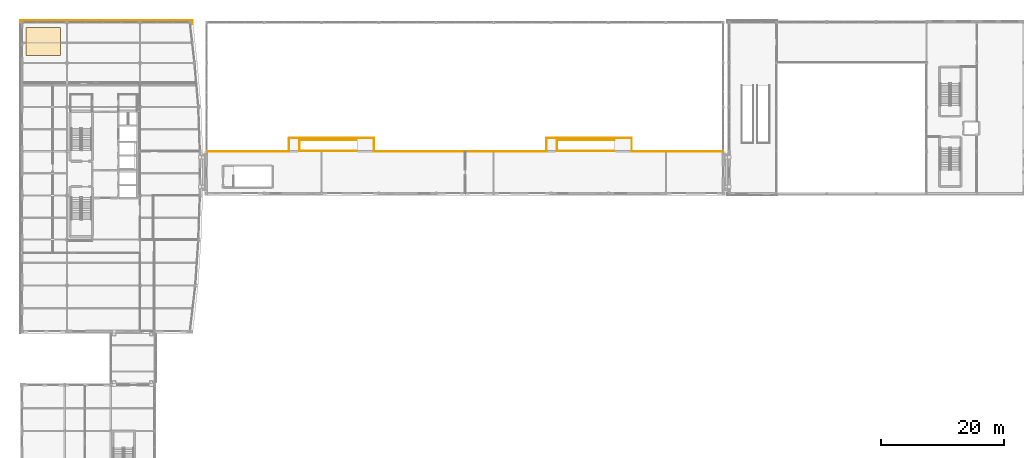
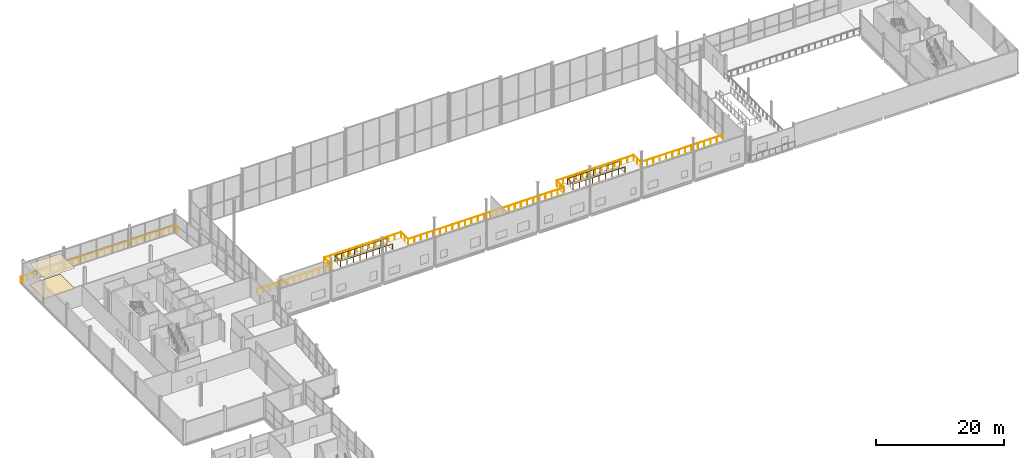
# One storey, part 75 of 77: 5 railings, 2 coverings.
"""IFC4 building model written with IfcOpenShell, lengths in metres."""

import ifcopenshell
import ifcopenshell.guid

model = None  # the IFC model being written
_history = None  # IfcOwnerHistory: only IFC2X3 demands one
_inside = {}  # id of a spatial element -> (the spatial element, [elements in it])
_under = {}  # id of a project, library or spatial element -> (it, [spatial elements below it])
_declared = {}  # id of a project -> (the project, [libraries it declares])
_typed = {}  # id of a type object -> (the type object, [elements of that type])
_made_of = {}  # id of a material, layer set ... -> (it, [elements and type objects made of it])


def new_model(schema):
    """Start an empty IFC model of exactly this schema.

    Asked for "IFC4X3", IfcOpenShell would pick the latest addendum, in which some entities
    have other attributes; the version numbers below select the first issue.
    IFC2X3 requires an IfcOwnerHistory on every rooted entity: one is made here for all.
    """
    global model, _history
    if schema == "IFC4X3":
        model = ifcopenshell.file(schema_version=(4, 3, 0, 0))
    else:
        model = ifcopenshell.file(schema=schema)
    _inside.clear()
    _under.clear()
    _declared.clear()
    _typed.clear()
    _made_of.clear()
    _history = None
    if model.schema == "IFC2X3":
        org = make("IfcOrganization", Name="unknown")
        user = make(
            "IfcPersonAndOrganization",
            ThePerson=make("IfcPerson", FamilyName="unknown"),
            TheOrganization=org,
        )
        app = make(
            "IfcApplication",
            ApplicationDeveloper=org,
            Version="unknown",
            ApplicationFullName="unknown",
            ApplicationIdentifier="unknown",
        )
        _history = make(
            "IfcOwnerHistory",
            OwningUser=user,
            OwningApplication=app,
            ChangeAction="ADDED",
            CreationDate=0,
        )
    return model


def make(cls, **values):
    """One entity of the class cls with the attributes given. An attribute that is None is left unset."""
    return model.create_entity(
        cls, **{name: value for name, value in values.items() if value is not None}
    )


def rooted(cls, **values):
    """An entity with a GlobalId (a new one), such as an element, a storey or a relation."""
    return make(cls, GlobalId=ifcopenshell.guid.new(), OwnerHistory=_history, **values)


def si_unit(unit_type, name, prefix=None):
    """IfcSIUnit, for example si_unit("LENGTHUNIT", "METRE", prefix="MILLI")."""
    return make("IfcSIUnit", UnitType=unit_type, Prefix=prefix, Name=name)


def assignment(units):
    """IfcUnitAssignment: the units of a project."""
    return None if units is None else make("IfcUnitAssignment", Units=units)


def point(xyz):
    """IfcCartesianPoint."""
    return None if xyz is None else make("IfcCartesianPoint", Coordinates=xyz)


def direction(xyz):
    """IfcDirection."""
    return None if xyz is None else make("IfcDirection", DirectionRatios=xyz)


def frame(location, z_axis=None, x_axis=None):
    """IfcAxis2Placement3D, a coordinate frame: its origin and axes. An axis left out is left unset."""
    return make(
        "IfcAxis2Placement3D",
        Location=point(location),
        Axis=direction(z_axis),
        RefDirection=direction(x_axis),
    )


def frame_2d(location, x_axis=None):
    """IfcAxis2Placement2D, a coordinate frame in the plane: its origin and x axis."""
    return make(
        "IfcAxis2Placement2D", Location=point(location), RefDirection=direction(x_axis)
    )


def origin():
    """The frame at (0, 0, 0) with its axes left unset."""
    return frame((0.0, 0.0, 0.0))


def origin_2d():
    """The frame at (0, 0) in the plane with its x axis left unset."""
    return frame_2d((0.0, 0.0))


def place(relative_to, where):
    """IfcLocalPlacement: puts the frame where relative to a parent placement (None: the world)."""
    return make(
        "IfcLocalPlacement", PlacementRelTo=relative_to, RelativePlacement=where
    )


def context(
    kind, dimensions, precision=None, world=None, true_north=None, identifier=None
):
    """IfcGeometricRepresentationContext, for example the 3D "Model" context."""
    return make(
        "IfcGeometricRepresentationContext",
        ContextIdentifier=identifier,
        ContextType=kind,
        CoordinateSpaceDimension=dimensions,
        Precision=precision,
        WorldCoordinateSystem=world,
        TrueNorth=true_north,
    )


def subcontext(parent, identifier, kind, view, scale=None):
    """IfcGeometricRepresentationSubContext, for example "Body" below "Model"."""
    return make(
        "IfcGeometricRepresentationSubContext",
        ContextIdentifier=identifier,
        ContextType=kind,
        ParentContext=parent,
        TargetScale=scale,
        TargetView=view,
    )


def project(units=None, contexts=None):
    """IfcProject with its units and contexts."""
    return rooted(
        "IfcProject",
        Name="project",
        RepresentationContexts=contexts,
        UnitsInContext=assignment(units),
    )


def spatial(cls, under=None, at=None, **own):
    """A site, building, storey or space (cls), placed at a placement, below another one or the project."""
    s = rooted(cls, ObjectPlacement=at, **own)
    if under is not None:
        _under.setdefault(under.id(), (under, []))[1].append(s)
    return s


def polyline(points):
    """IfcPolyline through the points."""
    return make("IfcPolyline", Points=[point(p) for p in points])


def profile(cls, at=None, kind="AREA", **sizes):
    """A parametric profile (cls). Its sizes go by their IFC names, for example OverallWidth=200.0."""
    return make(cls, ProfileType=kind, Position=at, **sizes)


def circle(**sizes):
    """IfcCircleProfileDef."""
    return profile("IfcCircleProfileDef", **sizes)


def outline(outer, holes=None, kind="AREA"):
    """IfcArbitraryClosedProfileDef: a profile drawn as a closed curve; with holes, ...WithVoids."""
    if holes is None:
        return make("IfcArbitraryClosedProfileDef", ProfileType=kind, OuterCurve=outer)
    return make(
        "IfcArbitraryProfileDefWithVoids",
        ProfileType=kind,
        OuterCurve=outer,
        InnerCurves=holes,
    )


def extrude(swept, where, along, depth):
    """IfcExtrudedAreaSolid: the profile swept, set in the frame where, extruded along a direction by depth."""
    return make(
        "IfcExtrudedAreaSolid",
        SweptArea=swept,
        Position=where,
        ExtrudedDirection=direction(along),
        Depth=depth,
    )


def shape(context_of_items, identifier, shape_type, items):
    """IfcShapeRepresentation: the items that make up one representation, for example the "Body"."""
    return make(
        "IfcShapeRepresentation",
        ContextOfItems=context_of_items,
        RepresentationIdentifier=identifier,
        RepresentationType=shape_type,
        Items=items,
    )


def material(Name=None, Category=None):
    """IfcMaterial."""
    return make("IfcMaterial", Name=Name, Category=Category)


def layer(
    of_material, thickness, ventilated=None, Name=None, Category=None, Priority=None
):
    """IfcMaterialLayer: one layer of a wall or slab, of a material (None: an air gap)."""
    return make(
        "IfcMaterialLayer",
        Material=of_material,
        LayerThickness=thickness,
        IsVentilated=ventilated,
        Name=Name,
        Category=Category,
        Priority=Priority,
    )


def layer_set(layers, Name=None):
    """IfcMaterialLayerSet."""
    return make("IfcMaterialLayerSet", MaterialLayers=layers, LayerSetName=Name)


def made_of(thing, what):
    """Note that an element or type object is made of a material, layer set ...; save() writes the relation."""
    if what is not None:
        _made_of.setdefault(what.id(), (what, []))[1].append(thing)
    return thing


def type_object(cls, material=None, **own):
    """A type object (cls), such as IfcWallType, which elements share."""
    return made_of(rooted(cls, **own), material)


def element(
    cls,
    number,
    at=None,
    inside=None,
    cuts=None,
    type_object=None,
    material=None,
    context=None,
    identifier="Body",
    shape_type=None,
    held_by="IfcProductDefinitionShape",
    body=None,
    shapes=None,
    **own,
):
    """One element of the class cls, such as IfcWall. Its Tag is "e" and its number.

    at: its placement. inside: the storey or other place that contains it. cuts: it is an
    opening in that element (IfcRelVoidsElement). A single representation is given by context,
    identifier, shape_type and body (its items); several are given by shapes. held_by: the class
    of the entity that holds the representations. save() writes the other relations.
    """
    e = rooted(cls, Tag="e%d" % number, ObjectPlacement=at, **own)
    if body is not None:
        shapes = [shape(context, identifier, shape_type, body)]
    if shapes is not None:
        e.Representation = make(held_by, Representations=shapes)
    if inside is not None:
        _inside.setdefault(inside.id(), (inside, []))[1].append(e)
    if cuts is not None:
        rooted(
            "IfcRelVoidsElement", RelatingBuildingElement=cuts, RelatedOpeningElement=e
        )
    if type_object is not None:
        _typed.setdefault(type_object.id(), (type_object, []))[1].append(e)
    return made_of(e, material)


def aggregate(whole, parts):
    """IfcRelAggregates: a whole, such as a stair, and the parts it consists of."""
    return rooted("IfcRelAggregates", RelatingObject=whole, RelatedObjects=parts)


def save(model, path):
    """Write the relations noted so far, then the file.

    IfcRelAggregates (storeys below a building ...), IfcRelContainedInSpatialStructure (elements
    in a storey), IfcRelDefinesByType, IfcRelAssociatesMaterial and IfcRelDeclares: one each for
    every whole, place, type object, material and project.
    """
    for whole, parts in _under.values():
        aggregate(whole, parts)
    for where, things in _inside.values():
        rooted(
            "IfcRelContainedInSpatialStructure",
            RelatedElements=things,
            RelatingStructure=where,
        )
    for kind, things in _typed.values():
        rooted("IfcRelDefinesByType", RelatedObjects=things, RelatingType=kind)
    for what, things in _made_of.values():
        rooted("IfcRelAssociatesMaterial", RelatedObjects=things, RelatingMaterial=what)
    for by, libraries in _declared.values():
        rooted("IfcRelDeclares", RelatingContext=by, RelatedDefinitions=libraries)
    model.write(path)


model = new_model("IFC4")

# Units and contexts
model_context = context("Model", 3, precision=1e-05, world=origin(), true_north=direction((0.0, 1.0)))
body_context = subcontext(model_context, "Body", "Model", "MODEL_VIEW")
ifc_project = project(units=[si_unit("LENGTHUNIT", "METRE"), si_unit("AREAUNIT", "SQUARE_METRE"), si_unit("VOLUMEUNIT", "CUBIC_METRE"), si_unit("PLANEANGLEUNIT", "RADIAN"), si_unit("MASSUNIT", "GRAM", prefix="KILO")], contexts=[model_context])

# Site, building, storey
site_placement = place(None, origin())
site = spatial("IfcSite", under=ifc_project, at=site_placement, CompositionType="ELEMENT")
building_placement = place(site_placement, origin())
building = spatial("IfcBuilding", under=site, at=building_placement, Name="Quillay Park Conservatory", CompositionType="ELEMENT")
storey_placement = place(building_placement, frame((0.0, 0.0, 5.39990234375)))
storey = spatial("IfcBuildingStorey", under=building, at=storey_placement, Name="L01", CompositionType="ELEMENT", Elevation=5.39990234375)

# Coverings
ifc_material_1 = material(Name="Polished Andean Aggregate Terrazzo Flooring")
ifc_layer_1 = layer(ifc_material_1, 0.02197265625)
ifc_layer_set_1 = layer_set([ifc_layer_1], Name="ANDEAN TERRAZZO FLOORING 22 (Polished Andean Aggregate Terrazzo Flooring)")
covering_type_1 = type_object("IfcCoveringType", Name="ANDEAN TERRAZZO FLOORING 22", PredefinedType="FLOORING", material=ifc_layer_set_1)
covering_1_placement = place(storey_placement, origin())
element("IfcCovering", 1, at=covering_1_placement, inside=storey, type_object=covering_type_1, Name="L01 Interior Flooring Finish", PredefinedType="FLOORING", context=body_context, shape_type="SweptSolid", body=[
    extrude(outline(polyline([(1.199951171875, 108.0), (6.800048828125, 108.0), (6.800048828125, 112.60009765625), (1.199951171875, 112.60009765625), (1.199951171875, 108.0)])), origin(), (0.0, 0.0, 1.0), 0.022216796875),
])
ifc_material_2 = material(Name="Perforated Mineral-Fibre Acoustic Ceiling")
ifc_layer_2 = layer(ifc_material_2, 0.030029296875)
ifc_layer_set_2 = layer_set([ifc_layer_2], Name="LABORATORY HYGIENIC CEILING 30 (Perforated Mineral-Fibre Acoustic Ceiling)")
covering_type_2 = type_object("IfcCoveringType", Name="LABORATORY HYGIENIC CEILING 30", PredefinedType="CEILING", material=ifc_layer_set_2)
covering_2_placement = place(storey_placement, frame((0.0, 0.0, 3.927001953125)))
element("IfcCovering", 2, at=covering_2_placement, inside=storey, type_object=covering_type_2, Name="L01 Suspended Acoustic Ceiling", PredefinedType="CEILING", context=body_context, shape_type="SweptSolid", body=[
    extrude(outline(polyline([(1.199951171875, 108.0), (6.800048828125, 108.0), (6.800048828125, 112.60009765625), (1.199951171875, 112.60009765625), (1.199951171875, 108.0)])), origin(), (0.0, 0.0, 1.0), 0.030029296875),
])

# Railings
ifc_material_3 = material(Name="Steel S355J2H", Category="steel")
railing_type = type_object("IfcRailingType", Name="TERRACE PERIMETER GUARDRAIL 1100", PredefinedType="GUARDRAIL", material=ifc_material_3)
railing_1_placement = place(storey_placement, frame((30.64990234375, 92.340087890625, 0.0)))
element("IfcRailing", 3, at=railing_1_placement, inside=storey, type_object=railing_type, Name="L01 Perimeter Safety Guardrail 006", PredefinedType="GUARDRAIL", context=body_context, shape_type="SweptSolid", body=[
    extrude(circle(Radius=0.02392578125, at=origin_2d()), frame((0.0, 0.0, 1.076171875), z_axis=(1.0, 0.0, 0.0), x_axis=(0.0, 1.0, 0.0)), (0.0, 0.0, 1.0), 13.41015625),
    extrude(circle(Radius=0.02392578125, at=origin_2d()), frame((13.41015625, 0.0, 1.076171875), z_axis=(0.0, 1.0, 0.0), x_axis=(-1.0, 0.0, 0.0)), (0.0, 0.0, 1.0), 2.199951171875),
    extrude(circle(Radius=0.02392578125, at=origin_2d()), frame((13.41015625, 2.199951171875, 1.076171875), z_axis=(1.0, 0.0, 0.0), x_axis=(0.0, 1.0, 0.0)), (0.0, 0.0, 1.0), 13.8798828125),
    extrude(circle(Radius=0.02392578125, at=origin_2d()), frame((27.2900390625, 2.199951171875, 1.076171875), z_axis=(0.0, -1.0, 0.0), x_axis=(1.0, 0.0, 0.0)), (0.0, 0.0, 1.0), 2.199951171875),
    extrude(circle(Radius=0.02392578125, at=origin_2d()), frame((27.2900390625, 0.0, 1.076171875), z_axis=(1.0, 0.0, 0.0), x_axis=(0.0, 1.0, 0.0)), (0.0, 0.0, 1.0), 14.860107421875),
    extrude(circle(Radius=0.02099609375, at=origin_2d()), origin(), (0.0, 0.0, 1.0), 1.052001953125),
    extrude(circle(Radius=0.02099609375, at=origin_2d()), frame((1.117431640625, 0.0, 0.0)), (0.0, 0.0, 1.0), 1.052001953125),
    extrude(circle(Radius=0.02099609375, at=origin_2d()), frame((2.235107421875, 0.0, 0.0)), (0.0, 0.0, 1.0), 1.052001953125),
    extrude(circle(Radius=0.02099609375, at=origin_2d()), frame((3.3525390625, 0.0, 0.0)), (0.0, 0.0, 1.0), 1.052001953125),
    extrude(circle(Radius=0.02099609375, at=origin_2d()), frame((4.469970703125, 0.0, 0.0)), (0.0, 0.0, 1.0), 1.052001953125),
    extrude(circle(Radius=0.02099609375, at=origin_2d()), frame((5.587646484375, 0.0, 0.0)), (0.0, 0.0, 1.0), 1.052001953125),
    extrude(circle(Radius=0.02099609375, at=origin_2d()), frame((6.705078125, 0.0, 0.0)), (0.0, 0.0, 1.0), 1.052001953125),
    extrude(circle(Radius=0.02099609375, at=origin_2d()), frame((7.822509765625, 0.0, 0.0)), (0.0, 0.0, 1.0), 1.052001953125),
    extrude(circle(Radius=0.02099609375, at=origin_2d()), frame((8.940185546875, 0.0, 0.0)), (0.0, 0.0, 1.0), 1.052001953125),
    extrude(circle(Radius=0.02099609375, at=origin_2d()), frame((10.0576171875, 0.0, 0.0)), (0.0, 0.0, 1.0), 1.052001953125),
    extrude(circle(Radius=0.02099609375, at=origin_2d()), frame((11.175048828125, 0.0, 0.0)), (0.0, 0.0, 1.0), 1.052001953125),
    extrude(circle(Radius=0.02099609375, at=origin_2d()), frame((12.292724609375, 0.0, 0.0)), (0.0, 0.0, 1.0), 1.052001953125),
    extrude(circle(Radius=0.02099609375, at=origin_2d()), frame((13.41015625, 0.0, 0.0)), (0.0, 0.0, 1.0), 1.052001953125),
    extrude(circle(Radius=0.02099609375, at=origin_2d()), frame((13.41015625, 1.10009765625, 0.0)), (0.0, 0.0, 1.0), 1.052001953125),
    extrude(circle(Radius=0.02099609375, at=origin_2d()), frame((13.41015625, 2.199951171875, 0.0)), (0.0, 0.0, 1.0), 1.052001953125),
    extrude(circle(Radius=0.02099609375, at=origin_2d()), frame((14.56689453125, 2.199951171875, 0.0)), (0.0, 0.0, 1.0), 1.052001953125),
    extrude(circle(Radius=0.02099609375, at=origin_2d()), frame((15.723388671875, 2.199951171875, 0.0)), (0.0, 0.0, 1.0), 1.052001953125),
    extrude(circle(Radius=0.02099609375, at=origin_2d()), frame((16.880126953125, 2.199951171875, 0.0)), (0.0, 0.0, 1.0), 1.052001953125),
    extrude(circle(Radius=0.02099609375, at=origin_2d()), frame((18.036865234375, 2.199951171875, 0.0)), (0.0, 0.0, 1.0), 1.052001953125),
    extrude(circle(Radius=0.02099609375, at=origin_2d()), frame((19.193359375, 2.199951171875, 0.0)), (0.0, 0.0, 1.0), 1.052001953125),
    extrude(circle(Radius=0.02099609375, at=origin_2d()), frame((20.35009765625, 2.199951171875, 0.0)), (0.0, 0.0, 1.0), 1.052001953125),
    extrude(circle(Radius=0.02099609375, at=origin_2d()), frame((21.5068359375, 2.199951171875, 0.0)), (0.0, 0.0, 1.0), 1.052001953125),
    extrude(circle(Radius=0.02099609375, at=origin_2d()), frame((22.663330078125, 2.199951171875, 0.0)), (0.0, 0.0, 1.0), 1.052001953125),
    extrude(circle(Radius=0.02099609375, at=origin_2d()), frame((23.820068359375, 2.199951171875, 0.0)), (0.0, 0.0, 1.0), 1.052001953125),
    extrude(circle(Radius=0.02099609375, at=origin_2d()), frame((24.976806640625, 2.199951171875, 0.0)), (0.0, 0.0, 1.0), 1.052001953125),
    extrude(circle(Radius=0.02099609375, at=origin_2d()), frame((26.13330078125, 2.199951171875, 0.0)), (0.0, 0.0, 1.0), 1.052001953125),
    extrude(circle(Radius=0.02099609375, at=origin_2d()), frame((27.2900390625, 2.199951171875, 0.0)), (0.0, 0.0, 1.0), 1.052001953125),
    extrude(circle(Radius=0.02099609375, at=origin_2d()), frame((27.2900390625, 1.10009765625, 0.0)), (0.0, 0.0, 1.0), 1.052001953125),
    extrude(circle(Radius=0.02099609375, at=origin_2d()), frame((27.2900390625, 0.0, 0.0)), (0.0, 0.0, 1.0), 1.052001953125),
    extrude(circle(Radius=0.02099609375, at=origin_2d()), frame((28.43310546875, 0.0, 0.0)), (0.0, 0.0, 1.0), 1.052001953125),
    extrude(circle(Radius=0.02099609375, at=origin_2d()), frame((29.576171875, 0.0, 0.0)), (0.0, 0.0, 1.0), 1.052001953125),
    extrude(circle(Radius=0.02099609375, at=origin_2d()), frame((30.71923828125, 0.0, 0.0)), (0.0, 0.0, 1.0), 1.052001953125),
    extrude(circle(Radius=0.02099609375, at=origin_2d()), frame((31.8623046875, 0.0, 0.0)), (0.0, 0.0, 1.0), 1.052001953125),
    extrude(circle(Radius=0.02099609375, at=origin_2d()), frame((33.00537109375, 0.0, 0.0)), (0.0, 0.0, 1.0), 1.052001953125),
    extrude(circle(Radius=0.02099609375, at=origin_2d()), frame((34.1484375, 0.0, 0.0)), (0.0, 0.0, 1.0), 1.052001953125),
    extrude(circle(Radius=0.02099609375, at=origin_2d()), frame((35.291748046875, 0.0, 0.0)), (0.0, 0.0, 1.0), 1.052001953125),
    extrude(circle(Radius=0.02099609375, at=origin_2d()), frame((36.434814453125, 0.0, 0.0)), (0.0, 0.0, 1.0), 1.052001953125),
    extrude(circle(Radius=0.02099609375, at=origin_2d()), frame((37.577880859375, 0.0, 0.0)), (0.0, 0.0, 1.0), 1.052001953125),
    extrude(circle(Radius=0.02099609375, at=origin_2d()), frame((38.720947265625, 0.0, 0.0)), (0.0, 0.0, 1.0), 1.052001953125),
    extrude(circle(Radius=0.02099609375, at=origin_2d()), frame((39.864013671875, 0.0, 0.0)), (0.0, 0.0, 1.0), 1.052001953125),
    extrude(circle(Radius=0.02099609375, at=origin_2d()), frame((41.007080078125, 0.0, 0.0)), (0.0, 0.0, 1.0), 1.052001953125),
    extrude(circle(Radius=0.02099609375, at=origin_2d()), frame((42.150146484375, 0.0, 0.0)), (0.0, 0.0, 1.0), 1.052001953125),
])
railing_2_placement = place(storey_placement, frame((55.1201171875, 92.419921875, 0.0)))
element("IfcRailing", 4, at=railing_2_placement, inside=storey, type_object=railing_type, Name="L01 Perimeter Safety Guardrail 007", PredefinedType="GUARDRAIL", context=body_context, shape_type="SweptSolid", body=[
    extrude(circle(Radius=0.02392578125, at=origin_2d()), frame((0.0, 0.0, 1.076171875), z_axis=(-1.0, 0.0, 0.0), x_axis=(0.0, -1.0, 0.0)), (0.0, 0.0, 1.0), 9.360107421875),
    extrude(circle(Radius=0.02392578125, at=origin_2d()), frame((-9.360107421875, 0.0, 1.076171875), z_axis=(0.0, 1.0, 0.0), x_axis=(-1.0, 0.0, 0.0)), (0.0, 0.0, 1.0), 1.760009765625),
    extrude(circle(Radius=0.02392578125, at=origin_2d()), frame((-9.360107421875, 1.760009765625, 1.076171875), z_axis=(1.0, 0.0, 0.0), x_axis=(0.0, 1.0, 0.0)), (0.0, 0.0, 1.0), 9.360107421875),
    extrude(circle(Radius=0.02099609375, at=origin_2d()), origin(), (0.0, 0.0, 1.0), 1.052001953125),
    extrude(circle(Radius=0.02099609375, at=origin_2d()), frame((-1.169921875, 0.0, 0.0)), (0.0, 0.0, 1.0), 1.052001953125),
    extrude(circle(Radius=0.02099609375, at=origin_2d()), frame((-2.340087890625, 0.0, 0.0)), (0.0, 0.0, 1.0), 1.052001953125),
    extrude(circle(Radius=0.02099609375, at=origin_2d()), frame((-3.510009765625, 0.0, 0.0)), (0.0, 0.0, 1.0), 1.052001953125),
    extrude(circle(Radius=0.02099609375, at=origin_2d()), frame((-4.68017578125, 0.0, 0.0)), (0.0, 0.0, 1.0), 1.052001953125),
    extrude(circle(Radius=0.02099609375, at=origin_2d()), frame((-5.85009765625, 0.0, 0.0)), (0.0, 0.0, 1.0), 1.052001953125),
    extrude(circle(Radius=0.02099609375, at=origin_2d()), frame((-7.02001953125, 0.0, 0.0)), (0.0, 0.0, 1.0), 1.052001953125),
    extrude(circle(Radius=0.02099609375, at=origin_2d()), frame((-8.190185546875, 0.0, 0.0)), (0.0, 0.0, 1.0), 1.052001953125),
    extrude(circle(Radius=0.02099609375, at=origin_2d()), frame((-9.360107421875, 0.0, 0.0)), (0.0, 0.0, 1.0), 1.052001953125),
    extrude(circle(Radius=0.02099609375, at=origin_2d()), frame((-9.360107421875, 0.8798828125, 0.0)), (0.0, 0.0, 1.0), 1.052001953125),
    extrude(circle(Radius=0.02099609375, at=origin_2d()), frame((-9.360107421875, 1.760009765625, 0.0)), (0.0, 0.0, 1.0), 1.052001953125),
    extrude(circle(Radius=0.02099609375, at=origin_2d()), frame((-8.190185546875, 1.760009765625, 0.0)), (0.0, 0.0, 1.0), 1.052001953125),
    extrude(circle(Radius=0.02099609375, at=origin_2d()), frame((-7.02001953125, 1.760009765625, 0.0)), (0.0, 0.0, 1.0), 1.052001953125),
    extrude(circle(Radius=0.02099609375, at=origin_2d()), frame((-5.85009765625, 1.760009765625, 0.0)), (0.0, 0.0, 1.0), 1.052001953125),
    extrude(circle(Radius=0.02099609375, at=origin_2d()), frame((-4.68017578125, 1.760009765625, 0.0)), (0.0, 0.0, 1.0), 1.052001953125),
    extrude(circle(Radius=0.02099609375, at=origin_2d()), frame((-3.510009765625, 1.760009765625, 0.0)), (0.0, 0.0, 1.0), 1.052001953125),
    extrude(circle(Radius=0.02099609375, at=origin_2d()), frame((-2.340087890625, 1.760009765625, 0.0)), (0.0, 0.0, 1.0), 1.052001953125),
    extrude(circle(Radius=0.02099609375, at=origin_2d()), frame((-1.169921875, 1.760009765625, 0.0)), (0.0, 0.0, 1.0), 1.052001953125),
    extrude(circle(Radius=0.02099609375, at=origin_2d()), frame((0.0, 1.760009765625, 0.0)), (0.0, 0.0, 1.0), 1.052001953125),
])
railing_3_placement = place(storey_placement, frame((72.800048828125, 92.340087890625, 0.0)))
element("IfcRailing", 5, at=railing_3_placement, inside=storey, type_object=railing_type, Name="L01 Perimeter Safety Guardrail 008", PredefinedType="GUARDRAIL", context=body_context, shape_type="SweptSolid", body=[
    extrude(circle(Radius=0.02392578125, at=origin_2d()), frame((0.0, 0.0, 1.076171875), z_axis=(1.0, 0.0, 0.0), x_axis=(0.0, 1.0, 0.0)), (0.0, 0.0, 1.0), 13.260009765625),
    extrude(circle(Radius=0.02392578125, at=origin_2d()), frame((13.260009765625, 0.0, 1.076171875), z_axis=(0.0, 1.0, 0.0), x_axis=(-1.0, 0.0, 0.0)), (0.0, 0.0, 1.0), 2.199951171875),
    extrude(circle(Radius=0.02392578125, at=origin_2d()), frame((13.260009765625, 2.199951171875, 1.076171875), z_axis=(1.0, 0.0, 0.0), x_axis=(0.0, 1.0, 0.0)), (0.0, 0.0, 1.0), 13.8798828125),
    extrude(circle(Radius=0.02392578125, at=origin_2d()), frame((27.139892578125, 2.199951171875, 1.076171875), z_axis=(0.0, -1.0, 0.0), x_axis=(1.0, 0.0, 0.0)), (0.0, 0.0, 1.0), 2.199951171875),
    extrude(circle(Radius=0.02392578125, at=origin_2d()), frame((27.139892578125, 0.0, 1.076171875), z_axis=(1.0, 0.0, 0.0), x_axis=(0.0, 1.0, 0.0)), (0.0, 0.0, 1.0), 14.91015625),
    extrude(circle(Radius=0.02099609375, at=origin_2d()), origin(), (0.0, 0.0, 1.0), 1.052001953125),
    extrude(circle(Radius=0.02099609375, at=origin_2d()), frame((1.10498046875, 0.0, 0.0)), (0.0, 0.0, 1.0), 1.052001953125),
    extrude(circle(Radius=0.02099609375, at=origin_2d()), frame((2.2099609375, 0.0, 0.0)), (0.0, 0.0, 1.0), 1.052001953125),
    extrude(circle(Radius=0.02099609375, at=origin_2d()), frame((3.31494140625, 0.0, 0.0)), (0.0, 0.0, 1.0), 1.052001953125),
    extrude(circle(Radius=0.02099609375, at=origin_2d()), frame((4.419921875, 0.0, 0.0)), (0.0, 0.0, 1.0), 1.052001953125),
    extrude(circle(Radius=0.02099609375, at=origin_2d()), frame((5.52490234375, 0.0, 0.0)), (0.0, 0.0, 1.0), 1.052001953125),
    extrude(circle(Radius=0.02099609375, at=origin_2d()), frame((6.6298828125, 0.0, 0.0)), (0.0, 0.0, 1.0), 1.052001953125),
    extrude(circle(Radius=0.02099609375, at=origin_2d()), frame((7.735107421875, 0.0, 0.0)), (0.0, 0.0, 1.0), 1.052001953125),
    extrude(circle(Radius=0.02099609375, at=origin_2d()), frame((8.840087890625, 0.0, 0.0)), (0.0, 0.0, 1.0), 1.052001953125),
    extrude(circle(Radius=0.02099609375, at=origin_2d()), frame((9.945068359375, 0.0, 0.0)), (0.0, 0.0, 1.0), 1.052001953125),
    extrude(circle(Radius=0.02099609375, at=origin_2d()), frame((11.050048828125, 0.0, 0.0)), (0.0, 0.0, 1.0), 1.052001953125),
    extrude(circle(Radius=0.02099609375, at=origin_2d()), frame((12.155029296875, 0.0, 0.0)), (0.0, 0.0, 1.0), 1.052001953125),
    extrude(circle(Radius=0.02099609375, at=origin_2d()), frame((13.260009765625, 0.0, 0.0)), (0.0, 0.0, 1.0), 1.052001953125),
    extrude(circle(Radius=0.02099609375, at=origin_2d()), frame((13.260009765625, 1.10009765625, 0.0)), (0.0, 0.0, 1.0), 1.052001953125),
    extrude(circle(Radius=0.02099609375, at=origin_2d()), frame((13.260009765625, 2.199951171875, 0.0)), (0.0, 0.0, 1.0), 1.052001953125),
    extrude(circle(Radius=0.02099609375, at=origin_2d()), frame((14.416748046875, 2.199951171875, 0.0)), (0.0, 0.0, 1.0), 1.052001953125),
    extrude(circle(Radius=0.02099609375, at=origin_2d()), frame((15.5732421875, 2.199951171875, 0.0)), (0.0, 0.0, 1.0), 1.052001953125),
    extrude(circle(Radius=0.02099609375, at=origin_2d()), frame((16.72998046875, 2.199951171875, 0.0)), (0.0, 0.0, 1.0), 1.052001953125),
    extrude(circle(Radius=0.02099609375, at=origin_2d()), frame((17.88671875, 2.199951171875, 0.0)), (0.0, 0.0, 1.0), 1.052001953125),
    extrude(circle(Radius=0.02099609375, at=origin_2d()), frame((19.043212890625, 2.199951171875, 0.0)), (0.0, 0.0, 1.0), 1.052001953125),
    extrude(circle(Radius=0.02099609375, at=origin_2d()), frame((20.199951171875, 2.199951171875, 0.0)), (0.0, 0.0, 1.0), 1.052001953125),
    extrude(circle(Radius=0.02099609375, at=origin_2d()), frame((21.356689453125, 2.199951171875, 0.0)), (0.0, 0.0, 1.0), 1.052001953125),
    extrude(circle(Radius=0.02099609375, at=origin_2d()), frame((22.51318359375, 2.199951171875, 0.0)), (0.0, 0.0, 1.0), 1.052001953125),
    extrude(circle(Radius=0.02099609375, at=origin_2d()), frame((23.669921875, 2.199951171875, 0.0)), (0.0, 0.0, 1.0), 1.052001953125),
    extrude(circle(Radius=0.02099609375, at=origin_2d()), frame((24.82666015625, 2.199951171875, 0.0)), (0.0, 0.0, 1.0), 1.052001953125),
    extrude(circle(Radius=0.02099609375, at=origin_2d()), frame((25.983154296875, 2.199951171875, 0.0)), (0.0, 0.0, 1.0), 1.052001953125),
    extrude(circle(Radius=0.02099609375, at=origin_2d()), frame((27.139892578125, 2.199951171875, 0.0)), (0.0, 0.0, 1.0), 1.052001953125),
    extrude(circle(Radius=0.02099609375, at=origin_2d()), frame((27.139892578125, 1.10009765625, 0.0)), (0.0, 0.0, 1.0), 1.052001953125),
    extrude(circle(Radius=0.02099609375, at=origin_2d()), frame((27.139892578125, 0.0, 0.0)), (0.0, 0.0, 1.0), 1.052001953125),
    extrude(circle(Radius=0.02099609375, at=origin_2d()), frame((28.286865234375, 0.0, 0.0)), (0.0, 0.0, 1.0), 1.052001953125),
    extrude(circle(Radius=0.02099609375, at=origin_2d()), frame((29.433837890625, 0.0, 0.0)), (0.0, 0.0, 1.0), 1.052001953125),
    extrude(circle(Radius=0.02099609375, at=origin_2d()), frame((30.580810546875, 0.0, 0.0)), (0.0, 0.0, 1.0), 1.052001953125),
    extrude(circle(Radius=0.02099609375, at=origin_2d()), frame((31.7275390625, 0.0, 0.0)), (0.0, 0.0, 1.0), 1.052001953125),
    extrude(circle(Radius=0.02099609375, at=origin_2d()), frame((32.87451171875, 0.0, 0.0)), (0.0, 0.0, 1.0), 1.052001953125),
    extrude(circle(Radius=0.02099609375, at=origin_2d()), frame((34.021484375, 0.0, 0.0)), (0.0, 0.0, 1.0), 1.052001953125),
    extrude(circle(Radius=0.02099609375, at=origin_2d()), frame((35.16845703125, 0.0, 0.0)), (0.0, 0.0, 1.0), 1.052001953125),
    extrude(circle(Radius=0.02099609375, at=origin_2d()), frame((36.3154296875, 0.0, 0.0)), (0.0, 0.0, 1.0), 1.052001953125),
    extrude(circle(Radius=0.02099609375, at=origin_2d()), frame((37.46240234375, 0.0, 0.0)), (0.0, 0.0, 1.0), 1.052001953125),
    extrude(circle(Radius=0.02099609375, at=origin_2d()), frame((38.609130859375, 0.0, 0.0)), (0.0, 0.0, 1.0), 1.052001953125),
    extrude(circle(Radius=0.02099609375, at=origin_2d()), frame((39.756103515625, 0.0, 0.0)), (0.0, 0.0, 1.0), 1.052001953125),
    extrude(circle(Radius=0.02099609375, at=origin_2d()), frame((40.903076171875, 0.0, 0.0)), (0.0, 0.0, 1.0), 1.052001953125),
    extrude(circle(Radius=0.02099609375, at=origin_2d()), frame((42.050048828125, 0.0, 0.0)), (0.0, 0.0, 1.0), 1.052001953125),
])
railing_4_placement = place(storey_placement, frame((97.1201171875, 92.419921875, 0.0)))
element("IfcRailing", 6, at=railing_4_placement, inside=storey, type_object=railing_type, Name="L01 Perimeter Safety Guardrail 009", PredefinedType="GUARDRAIL", context=body_context, shape_type="SweptSolid", body=[
    extrude(circle(Radius=0.02392578125, at=origin_2d()), frame((0.0, 0.0, 1.076171875), z_axis=(-1.0, 0.0, 0.0), x_axis=(0.0, -1.0, 0.0)), (0.0, 0.0, 1.0), 9.360107421875),
    extrude(circle(Radius=0.02392578125, at=origin_2d()), frame((-9.360107421875, 0.0, 1.076171875), z_axis=(0.0, 1.0, 0.0), x_axis=(-1.0, 0.0, 0.0)), (0.0, 0.0, 1.0), 1.760009765625),
    extrude(circle(Radius=0.02392578125, at=origin_2d()), frame((-9.360107421875, 1.760009765625, 1.076171875), z_axis=(1.0, 0.0, 0.0), x_axis=(0.0, 1.0, 0.0)), (0.0, 0.0, 1.0), 9.360107421875),
    extrude(circle(Radius=0.02099609375, at=origin_2d()), origin(), (0.0, 0.0, 1.0), 1.052001953125),
    extrude(circle(Radius=0.02099609375, at=origin_2d()), frame((-1.169921875, 0.0, 0.0)), (0.0, 0.0, 1.0), 1.052001953125),
    extrude(circle(Radius=0.02099609375, at=origin_2d()), frame((-2.340087890625, 0.0, 0.0)), (0.0, 0.0, 1.0), 1.052001953125),
    extrude(circle(Radius=0.02099609375, at=origin_2d()), frame((-3.510009765625, 0.0, 0.0)), (0.0, 0.0, 1.0), 1.052001953125),
    extrude(circle(Radius=0.02099609375, at=origin_2d()), frame((-4.68017578125, 0.0, 0.0)), (0.0, 0.0, 1.0), 1.052001953125),
    extrude(circle(Radius=0.02099609375, at=origin_2d()), frame((-5.85009765625, 0.0, 0.0)), (0.0, 0.0, 1.0), 1.052001953125),
    extrude(circle(Radius=0.02099609375, at=origin_2d()), frame((-7.02001953125, 0.0, 0.0)), (0.0, 0.0, 1.0), 1.052001953125),
    extrude(circle(Radius=0.02099609375, at=origin_2d()), frame((-8.190185546875, 0.0, 0.0)), (0.0, 0.0, 1.0), 1.052001953125),
    extrude(circle(Radius=0.02099609375, at=origin_2d()), frame((-9.360107421875, 0.0, 0.0)), (0.0, 0.0, 1.0), 1.052001953125),
    extrude(circle(Radius=0.02099609375, at=origin_2d()), frame((-9.360107421875, 0.8798828125, 0.0)), (0.0, 0.0, 1.0), 1.052001953125),
    extrude(circle(Radius=0.02099609375, at=origin_2d()), frame((-9.360107421875, 1.760009765625, 0.0)), (0.0, 0.0, 1.0), 1.052001953125),
    extrude(circle(Radius=0.02099609375, at=origin_2d()), frame((-8.190185546875, 1.760009765625, 0.0)), (0.0, 0.0, 1.0), 1.052001953125),
    extrude(circle(Radius=0.02099609375, at=origin_2d()), frame((-7.02001953125, 1.760009765625, 0.0)), (0.0, 0.0, 1.0), 1.052001953125),
    extrude(circle(Radius=0.02099609375, at=origin_2d()), frame((-5.85009765625, 1.760009765625, 0.0)), (0.0, 0.0, 1.0), 1.052001953125),
    extrude(circle(Radius=0.02099609375, at=origin_2d()), frame((-4.68017578125, 1.760009765625, 0.0)), (0.0, 0.0, 1.0), 1.052001953125),
    extrude(circle(Radius=0.02099609375, at=origin_2d()), frame((-3.510009765625, 1.760009765625, 0.0)), (0.0, 0.0, 1.0), 1.052001953125),
    extrude(circle(Radius=0.02099609375, at=origin_2d()), frame((-2.340087890625, 1.760009765625, 0.0)), (0.0, 0.0, 1.0), 1.052001953125),
    extrude(circle(Radius=0.02099609375, at=origin_2d()), frame((-1.169921875, 1.760009765625, 0.0)), (0.0, 0.0, 1.0), 1.052001953125),
    extrude(circle(Radius=0.02099609375, at=origin_2d()), frame((0.0, 1.760009765625, 0.0)), (0.0, 0.0, 1.0), 1.052001953125),
])
railing_5_placement = place(storey_placement, frame((0.31005859375, 113.39990234375, 0.0)))
element("IfcRailing", 7, at=railing_5_placement, inside=storey, type_object=railing_type, Name="L01 Perimeter Safety Guardrail 020", PredefinedType="GUARDRAIL", context=body_context, shape_type="SweptSolid", body=[
    extrude(circle(Radius=0.02392578125, at=origin_2d()), frame((0.0, 0.0, 1.076171875), z_axis=(0.0, 1.0, 0.0), x_axis=(-1.0, 0.0, 0.0)), (0.0, 0.0, 1.0), 0.340087890625),
    extrude(circle(Radius=0.02392578125, at=origin_2d()), frame((0.0, 0.340087890625, 1.076171875), z_axis=(1.0, 0.0, 0.0), x_axis=(0.0, 1.0, 0.0)), (0.0, 0.0, 1.0), 28.0048828125),
    extrude(circle(Radius=0.02392578125, at=origin_2d()), frame((28.0048828125, 0.340087890625, 1.076171875), z_axis=(0.0, -1.0, 0.0), x_axis=(1.0, 0.0, 0.0)), (0.0, 0.0, 1.0), 0.639892578125),
    extrude(circle(Radius=0.02099609375, at=origin_2d()), origin(), (0.0, 0.0, 1.0), 1.052001953125),
    extrude(circle(Radius=0.02099609375, at=origin_2d()), frame((0.0, 0.340087890625, 0.0)), (0.0, 0.0, 1.0), 1.052001953125),
    extrude(circle(Radius=0.02099609375, at=origin_2d()), frame((1.1669921875, 0.340087890625, 0.0)), (0.0, 0.0, 1.0), 1.052001953125),
    extrude(circle(Radius=0.02099609375, at=origin_2d()), frame((2.333740234375, 0.340087890625, 0.0)), (0.0, 0.0, 1.0), 1.052001953125),
    extrude(circle(Radius=0.02099609375, at=origin_2d()), frame((3.50048828125, 0.340087890625, 0.0)), (0.0, 0.0, 1.0), 1.052001953125),
    extrude(circle(Radius=0.02099609375, at=origin_2d()), frame((4.66748046875, 0.340087890625, 0.0)), (0.0, 0.0, 1.0), 1.052001953125),
    extrude(circle(Radius=0.02099609375, at=origin_2d()), frame((5.83447265625, 0.340087890625, 0.0)), (0.0, 0.0, 1.0), 1.052001953125),
    extrude(circle(Radius=0.02099609375, at=origin_2d()), frame((7.001220703125, 0.340087890625, 0.0)), (0.0, 0.0, 1.0), 1.052001953125),
    extrude(circle(Radius=0.02099609375, at=origin_2d()), frame((8.16796875, 0.340087890625, 0.0)), (0.0, 0.0, 1.0), 1.052001953125),
    extrude(circle(Radius=0.02099609375, at=origin_2d()), frame((9.3349609375, 0.340087890625, 0.0)), (0.0, 0.0, 1.0), 1.052001953125),
    extrude(circle(Radius=0.02099609375, at=origin_2d()), frame((10.501953125, 0.340087890625, 0.0)), (0.0, 0.0, 1.0), 1.052001953125),
    extrude(circle(Radius=0.02099609375, at=origin_2d()), frame((11.668701171875, 0.340087890625, 0.0)), (0.0, 0.0, 1.0), 1.052001953125),
    extrude(circle(Radius=0.02099609375, at=origin_2d()), frame((12.83544921875, 0.340087890625, 0.0)), (0.0, 0.0, 1.0), 1.052001953125),
    extrude(circle(Radius=0.02099609375, at=origin_2d()), frame((14.00244140625, 0.340087890625, 0.0)), (0.0, 0.0, 1.0), 1.052001953125),
    extrude(circle(Radius=0.02099609375, at=origin_2d()), frame((15.169189453125, 0.340087890625, 0.0)), (0.0, 0.0, 1.0), 1.052001953125),
    extrude(circle(Radius=0.02099609375, at=origin_2d()), frame((16.336181640625, 0.340087890625, 0.0)), (0.0, 0.0, 1.0), 1.052001953125),
    extrude(circle(Radius=0.02099609375, at=origin_2d()), frame((17.5029296875, 0.340087890625, 0.0)), (0.0, 0.0, 1.0), 1.052001953125),
    extrude(circle(Radius=0.02099609375, at=origin_2d()), frame((18.669921875, 0.340087890625, 0.0)), (0.0, 0.0, 1.0), 1.052001953125),
    extrude(circle(Radius=0.02099609375, at=origin_2d()), frame((19.8369140625, 0.340087890625, 0.0)), (0.0, 0.0, 1.0), 1.052001953125),
    extrude(circle(Radius=0.02099609375, at=origin_2d()), frame((21.003662109375, 0.340087890625, 0.0)), (0.0, 0.0, 1.0), 1.052001953125),
    extrude(circle(Radius=0.02099609375, at=origin_2d()), frame((22.17041015625, 0.340087890625, 0.0)), (0.0, 0.0, 1.0), 1.052001953125),
    extrude(circle(Radius=0.02099609375, at=origin_2d()), frame((23.33740234375, 0.340087890625, 0.0)), (0.0, 0.0, 1.0), 1.052001953125),
    extrude(circle(Radius=0.02099609375, at=origin_2d()), frame((24.50439453125, 0.340087890625, 0.0)), (0.0, 0.0, 1.0), 1.052001953125),
    extrude(circle(Radius=0.02099609375, at=origin_2d()), frame((25.671142578125, 0.340087890625, 0.0)), (0.0, 0.0, 1.0), 1.052001953125),
    extrude(circle(Radius=0.02099609375, at=origin_2d()), frame((26.837890625, 0.340087890625, 0.0)), (0.0, 0.0, 1.0), 1.052001953125),
    extrude(circle(Radius=0.02099609375, at=origin_2d()), frame((28.0048828125, 0.340087890625, 0.0)), (0.0, 0.0, 1.0), 1.052001953125),
    extrude(circle(Radius=0.02099609375, at=origin_2d()), frame((28.0048828125, -0.2998046875, 0.0)), (0.0, 0.0, 1.0), 1.052001953125),
])

save(model, "model.ifc")
